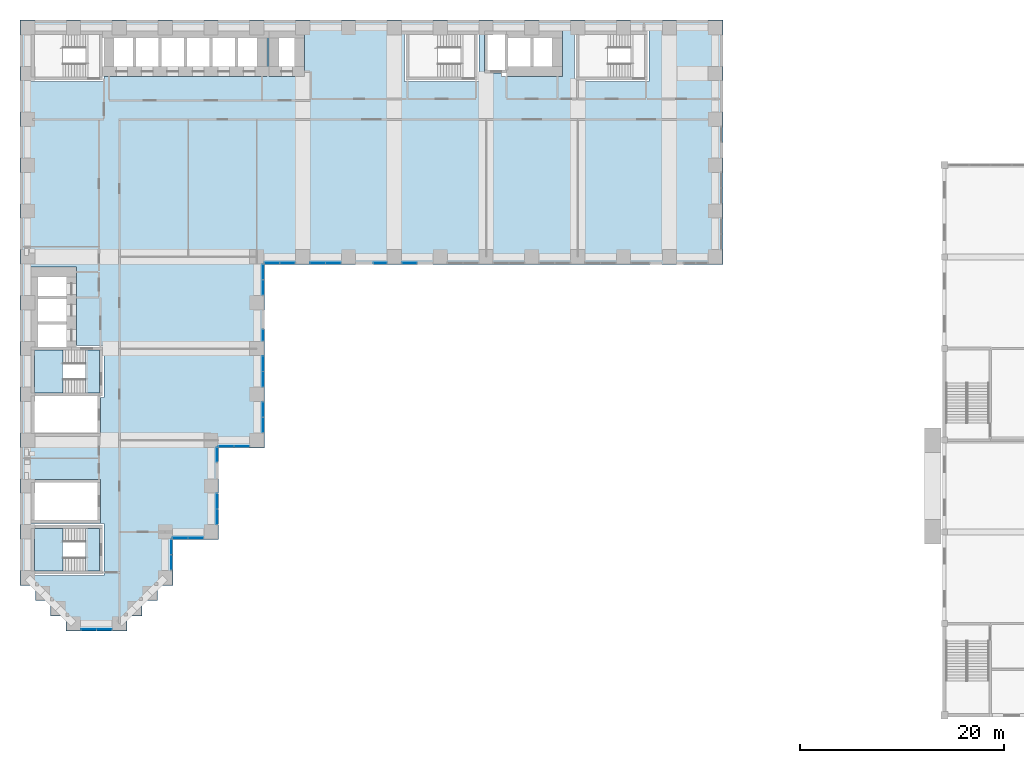
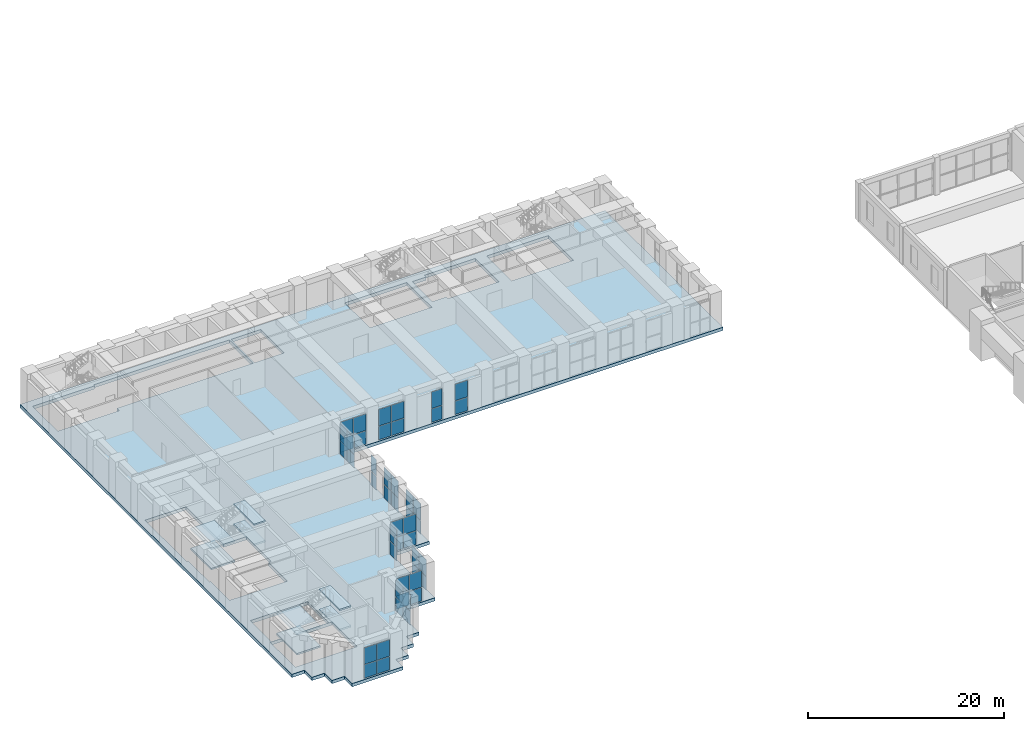
# One storey, part 14 of 34: 48 plates, 9 slabs, 16 elements without a shape of their own.
"""IFC4 building model written with IfcOpenShell, lengths in metres."""

from ifc_helpers import new_model, si_unit, direction, frame, origin, origin_2d, place, context, subcontext, project, spatial, polyline, rectangle, outline, extrude, material, layer, layer_set, type_object, element, aggregate, save


model = new_model("IFC4")

# Units and contexts
model_context = context("Model", 3, precision=1e-05, world=origin(), true_north=direction((0.0, 1.0)))
body_context = subcontext(model_context, "Body", "Model", "MODEL_VIEW")
ifc_project = project(units=[si_unit("LENGTHUNIT", "METRE"), si_unit("AREAUNIT", "SQUARE_METRE"), si_unit("VOLUMEUNIT", "CUBIC_METRE"), si_unit("PLANEANGLEUNIT", "RADIAN"), si_unit("MASSUNIT", "GRAM", prefix="KILO")], contexts=[model_context])

# Site, building, storey
site_placement = place(None, origin())
site = spatial("IfcSite", under=ifc_project, at=site_placement, CompositionType="ELEMENT")
building_placement = place(site_placement, origin())
building = spatial("IfcBuilding", under=site, at=building_placement, Name="Firuza Court", CompositionType="ELEMENT")
storey_placement = place(building_placement, frame((0.0, 0.0, 19.0)))
storey = spatial("IfcBuildingStorey", under=building, at=storey_placement, Name="L03", CompositionType="ELEMENT", Elevation=19.0)

# Slab
ifc_material_1 = material(Name="Concrete C40/50", Category="concrete")
ifc_layer_1 = layer(ifc_material_1, 0.39990234375)
ifc_layer_set_1 = layer_set([ifc_layer_1], Name="Concrete C40/50")
slab_type_1 = type_object("IfcSlabType", Name="Floor slab 400 C40/50", PredefinedType="FLOOR", material=ifc_layer_set_1)
slab_1_placement = place(storey_placement, frame((0.0, 0.0, -0.39990234375)))
element("IfcSlab", 1, at=slab_1_placement, inside=storey, type_object=slab_type_1, Name="Floor slab L03", PredefinedType="FLOOR", context=body_context, shape_type="SweptSolid", body=[
    extrude(outline(polyline([(3.75, -0.75), (3.75, 0.75), (2.25, 0.75), (2.25, 2.25), (0.75, 2.25), (0.75, 3.75), (-0.75, 3.75), (-0.75, 59.25), (68.25, 59.25), (68.25, 35.25), (23.25, 35.25), (23.25, 17.25), (18.75, 17.25), (18.75, 8.25), (14.25, 8.25), (14.25, 3.75), (12.75, 3.75), (12.75, 2.25), (11.25, 2.25), (11.25, 0.75), (9.75, 0.75), (9.75, -0.75), (3.75, -0.75)]), holes=[polyline([(7.5, 9.800048828125), (0.199951171875, 9.800048828125), (0.199951171875, 4.699951171875), (7.5, 4.699951171875), (7.5, 9.800048828125)]), polyline([(7.14990234375, 14.14990234375), (0.35009765625, 14.14990234375), (0.35009765625, 9.85009765625), (7.14990234375, 9.85009765625), (7.14990234375, 14.14990234375)]), polyline([(0.199951171875, 22.199951171875), (0.35009765625, 22.199951171875), (0.35009765625, 18.35009765625), (7.14990234375, 18.35009765625), (7.14990234375, 22.199951171875), (7.5, 22.199951171875), (7.5, 27.300048828125), (4.800048828125, 27.300048828125), (4.800048828125, 29.0), (4.800048828125, 30.0), (4.800048828125, 31.5), (4.800048828125, 32.5), (4.800048828125, 35.0), (0.0, 35.0), (0.0, 32.5), (0.0, 31.5), (0.0, 30.0), (0.0, 29.0), (0.0, 26.5), (0.199951171875, 26.5), (0.199951171875, 22.199951171875)]), polyline([(7.5, 58.300048828125), (0.199951171875, 58.300048828125), (0.199951171875, 53.199951171875), (7.5, 53.199951171875), (7.5, 53.699951171875), (10.0, 53.699951171875), (11.0, 53.699951171875), (12.5, 53.699951171875), (13.5, 53.699951171875), (15.0, 53.699951171875), (16.0, 53.699951171875), (17.5, 53.699951171875), (18.5, 53.699951171875), (20.0, 53.699951171875), (21.0, 53.699951171875), (23.5, 53.699951171875), (23.5, 58.5), (21.0, 58.5), (20.0, 58.5), (18.5, 58.5), (17.5, 58.5), (16.0, 58.5), (15.0, 58.5), (13.5, 58.5), (12.5, 58.5), (11.0, 58.5), (10.0, 58.5), (7.5, 58.5), (7.5, 58.300048828125)]), polyline([(44.300048828125, 58.300048828125), (37.0, 58.300048828125), (37.0, 53.199951171875), (44.300048828125, 53.199951171875), (44.300048828125, 58.300048828125)]), polyline([(61.0, 58.300048828125), (53.699951171875, 58.300048828125), (53.699951171875, 53.199951171875), (61.0, 53.199951171875), (61.0, 58.300048828125)]), polyline([(27.199951171875, 58.5), (23.699951171875, 58.5), (23.699951171875, 53.699951171875), (27.199951171875, 53.699951171875), (27.199951171875, 58.5)]), polyline([(46.5, 58.14990234375), (44.85009765625, 58.14990234375), (44.85009765625, 54.050048828125), (46.5, 54.050048828125), (46.5, 53.699951171875), (49.0, 53.699951171875), (50.0, 53.699951171875), (52.5, 53.699951171875), (52.5, 58.5), (50.0, 58.5), (49.0, 58.5), (46.5, 58.5), (46.5, 58.14990234375)])]), origin(), (0.0, 0.0, 1.0), 0.39990234375),
])

# Curtain wall, plates
ifc_material_2 = material(Name="Aluminium curtain wall, triple clear glazing", Category="aluminium")
curtain_wall_type = type_object("IfcCurtainWallType", Name="Podium unitised curtain wall CW1", PredefinedType="NOTDEFINED", material=ifc_material_2)
curtain_wall_1_placement = place(storey_placement, origin())
curtain_wall_1 = element("IfcCurtainWall", 2, at=curtain_wall_1_placement, inside=storey, type_object=curtain_wall_type, Name="Podium unitised curtain wall CW1 L03", PredefinedType="NOTDEFINED")
ifc_material_3 = material(Name="Triple clear glazing", Category="glass")
ifc_layer_2 = layer(ifc_material_3, 0.031982421875)
ifc_layer_set_2 = layer_set([ifc_layer_2], Name="Triple clear glazing")
plate_type = type_object("IfcPlateType", Name="Glazed panel 32 CW1", PredefinedType="CURTAIN_PANEL", material=ifc_layer_set_2)
plate_1_placement = place(storey_placement, frame((14.10009765625, 5.989990234375, 0.06005859375), z_axis=(0.0, 0.0, 1.0), x_axis=(0.0, 1.0, 0.0)))
plate_1 = element("IfcPlate", 3, at=plate_1_placement, type_object=plate_type, Name="CW1 panel 1.1", PredefinedType="CURTAIN_PANEL", context=body_context, shape_type="SweptSolid", body=[
    extrude(rectangle(XDim=1.4599609375, YDim=0.031982421875, at=origin_2d()), origin(), (0.0, 0.0, 1.0), 1.6650390625),
])
plate_2_placement = place(storey_placement, frame((14.10009765625, 5.989990234375, 1.78515625), z_axis=(0.0, 0.0, 1.0), x_axis=(0.0, 1.0, 0.0)))
plate_2 = element("IfcPlate", 4, at=plate_2_placement, type_object=plate_type, Name="CW1 panel 1.2", PredefinedType="CURTAIN_PANEL", context=body_context, shape_type="SweptSolid", body=[
    extrude(rectangle(XDim=1.4599609375, YDim=0.031982421875, at=origin_2d()), origin(), (0.0, 0.0, 1.0), 2.054931640625),
])
plate_3_placement = place(storey_placement, frame((14.10009765625, 7.510009765625, 0.06005859375), z_axis=(0.0, 0.0, 1.0), x_axis=(0.0, 1.0, 0.0)))
plate_3 = element("IfcPlate", 5, at=plate_3_placement, type_object=plate_type, Name="CW1 panel 2.1", PredefinedType="CURTAIN_PANEL", context=body_context, shape_type="SweptSolid", body=[
    extrude(rectangle(XDim=1.4599609375, YDim=0.031982421875, at=origin_2d()), origin(), (0.0, 0.0, 1.0), 1.6650390625),
])
plate_4_placement = place(storey_placement, frame((14.10009765625, 7.510009765625, 1.78515625), z_axis=(0.0, 0.0, 1.0), x_axis=(0.0, 1.0, 0.0)))
plate_4 = element("IfcPlate", 6, at=plate_4_placement, type_object=plate_type, Name="CW1 panel 2.2", PredefinedType="CURTAIN_PANEL", context=body_context, shape_type="SweptSolid", body=[
    extrude(rectangle(XDim=1.4599609375, YDim=0.031982421875, at=origin_2d()), origin(), (0.0, 0.0, 1.0), 2.054931640625),
])
aggregate(curtain_wall_1, [plate_1, plate_2, plate_3, plate_4])

curtain_wall_2_placement = place(storey_placement, origin())
curtain_wall_2 = element("IfcCurtainWall", 7, at=curtain_wall_2_placement, inside=storey, type_object=curtain_wall_type, Name="Podium unitised curtain wall CW1 L03", PredefinedType="NOTDEFINED")
plate_5_placement = place(storey_placement, frame((14.989990234375, 8.39990234375, 0.06005859375), z_axis=(0.0, 0.0, 1.0), x_axis=(1.0, 0.0, 0.0)))
plate_5 = element("IfcPlate", 8, at=plate_5_placement, type_object=plate_type, Name="CW1 panel 1.1", PredefinedType="CURTAIN_PANEL", context=body_context, shape_type="SweptSolid", body=[
    extrude(rectangle(XDim=1.4599609375, YDim=0.031982421875, at=origin_2d()), origin(), (0.0, 0.0, 1.0), 1.6650390625),
])
plate_6_placement = place(storey_placement, frame((14.989990234375, 8.39990234375, 1.78515625), z_axis=(0.0, 0.0, 1.0), x_axis=(1.0, 0.0, 0.0)))
plate_6 = element("IfcPlate", 9, at=plate_6_placement, type_object=plate_type, Name="CW1 panel 1.2", PredefinedType="CURTAIN_PANEL", context=body_context, shape_type="SweptSolid", body=[
    extrude(rectangle(XDim=1.4599609375, YDim=0.031982421875, at=origin_2d()), origin(), (0.0, 0.0, 1.0), 2.054931640625),
])
plate_7_placement = place(storey_placement, frame((16.510009765625, 8.39990234375, 0.06005859375), z_axis=(0.0, 0.0, 1.0), x_axis=(1.0, 0.0, 0.0)))
plate_7 = element("IfcPlate", 10, at=plate_7_placement, type_object=plate_type, Name="CW1 panel 2.1", PredefinedType="CURTAIN_PANEL", context=body_context, shape_type="SweptSolid", body=[
    extrude(rectangle(XDim=1.4599609375, YDim=0.031982421875, at=origin_2d()), origin(), (0.0, 0.0, 1.0), 1.6650390625),
])
plate_8_placement = place(storey_placement, frame((16.510009765625, 8.39990234375, 1.78515625), z_axis=(0.0, 0.0, 1.0), x_axis=(1.0, 0.0, 0.0)))
plate_8 = element("IfcPlate", 11, at=plate_8_placement, type_object=plate_type, Name="CW1 panel 2.2", PredefinedType="CURTAIN_PANEL", context=body_context, shape_type="SweptSolid", body=[
    extrude(rectangle(XDim=1.4599609375, YDim=0.031982421875, at=origin_2d()), origin(), (0.0, 0.0, 1.0), 2.054931640625),
])
aggregate(curtain_wall_2, [plate_5, plate_6, plate_7, plate_8])

curtain_wall_3_placement = place(storey_placement, origin())
curtain_wall_3 = element("IfcCurtainWall", 12, at=curtain_wall_3_placement, inside=storey, type_object=curtain_wall_type, Name="Podium unitised curtain wall CW1 L03", PredefinedType="NOTDEFINED")
plate_9_placement = place(storey_placement, frame((18.60009765625, 10.489990234375, 0.06005859375), z_axis=(0.0, 0.0, 1.0), x_axis=(0.0, 1.0, 0.0)))
plate_9 = element("IfcPlate", 13, at=plate_9_placement, type_object=plate_type, Name="CW1 panel 1.1", PredefinedType="CURTAIN_PANEL", context=body_context, shape_type="SweptSolid", body=[
    extrude(rectangle(XDim=1.4599609375, YDim=0.031982421875, at=origin_2d()), origin(), (0.0, 0.0, 1.0), 1.6650390625),
])
plate_10_placement = place(storey_placement, frame((18.60009765625, 10.489990234375, 1.78515625), z_axis=(0.0, 0.0, 1.0), x_axis=(0.0, 1.0, 0.0)))
plate_10 = element("IfcPlate", 14, at=plate_10_placement, type_object=plate_type, Name="CW1 panel 1.2", PredefinedType="CURTAIN_PANEL", context=body_context, shape_type="SweptSolid", body=[
    extrude(rectangle(XDim=1.4599609375, YDim=0.031982421875, at=origin_2d()), origin(), (0.0, 0.0, 1.0), 2.054931640625),
])
plate_11_placement = place(storey_placement, frame((18.60009765625, 12.010009765625, 0.06005859375), z_axis=(0.0, 0.0, 1.0), x_axis=(0.0, 1.0, 0.0)))
plate_11 = element("IfcPlate", 15, at=plate_11_placement, type_object=plate_type, Name="CW1 panel 2.1", PredefinedType="CURTAIN_PANEL", context=body_context, shape_type="SweptSolid", body=[
    extrude(rectangle(XDim=1.4599609375, YDim=0.031982421875, at=origin_2d()), origin(), (0.0, 0.0, 1.0), 1.6650390625),
])
plate_12_placement = place(storey_placement, frame((18.60009765625, 12.010009765625, 1.78515625), z_axis=(0.0, 0.0, 1.0), x_axis=(0.0, 1.0, 0.0)))
plate_12 = element("IfcPlate", 16, at=plate_12_placement, type_object=plate_type, Name="CW1 panel 2.2", PredefinedType="CURTAIN_PANEL", context=body_context, shape_type="SweptSolid", body=[
    extrude(rectangle(XDim=1.4599609375, YDim=0.031982421875, at=origin_2d()), origin(), (0.0, 0.0, 1.0), 2.054931640625),
])
aggregate(curtain_wall_3, [plate_9, plate_10, plate_11, plate_12])

curtain_wall_4_placement = place(storey_placement, origin())
curtain_wall_4 = element("IfcCurtainWall", 17, at=curtain_wall_4_placement, inside=storey, type_object=curtain_wall_type, Name="Podium unitised curtain wall CW1 L03", PredefinedType="NOTDEFINED")
plate_13_placement = place(storey_placement, frame((18.60009765625, 16.552490234375, 0.06005859375), z_axis=(0.0, 0.0, 1.0), x_axis=(0.0, 1.0, 0.0)))
plate_13 = element("IfcPlate", 18, at=plate_13_placement, type_object=plate_type, Name="CW1 panel 1.1", PredefinedType="CURTAIN_PANEL", context=body_context, shape_type="SweptSolid", body=[
    extrude(rectangle(XDim=1.374755859375, YDim=0.031982421875, at=origin_2d()), origin(), (0.0, 0.0, 1.0), 1.6650390625),
])
plate_14_placement = place(storey_placement, frame((18.60009765625, 16.552490234375, 1.78515625), z_axis=(0.0, 0.0, 1.0), x_axis=(0.0, 1.0, 0.0)))
plate_14 = element("IfcPlate", 19, at=plate_14_placement, type_object=plate_type, Name="CW1 panel 1.2", PredefinedType="CURTAIN_PANEL", context=body_context, shape_type="SweptSolid", body=[
    extrude(rectangle(XDim=1.374755859375, YDim=0.031982421875, at=origin_2d()), origin(), (0.0, 0.0, 1.0), 2.054931640625),
])
aggregate(curtain_wall_4, [plate_13, plate_14])

curtain_wall_5_placement = place(storey_placement, origin())
curtain_wall_5 = element("IfcCurtainWall", 20, at=curtain_wall_5_placement, inside=storey, type_object=curtain_wall_type, Name="Podium unitised curtain wall CW1 L03", PredefinedType="NOTDEFINED")
plate_15_placement = place(storey_placement, frame((19.489990234375, 17.39990234375, 0.06005859375), z_axis=(0.0, 0.0, 1.0), x_axis=(1.0, 0.0, 0.0)))
plate_15 = element("IfcPlate", 21, at=plate_15_placement, type_object=plate_type, Name="CW1 panel 1.1", PredefinedType="CURTAIN_PANEL", context=body_context, shape_type="SweptSolid", body=[
    extrude(rectangle(XDim=1.4599609375, YDim=0.031982421875, at=origin_2d()), origin(), (0.0, 0.0, 1.0), 1.6650390625),
])
plate_16_placement = place(storey_placement, frame((19.489990234375, 17.39990234375, 1.78515625), z_axis=(0.0, 0.0, 1.0), x_axis=(1.0, 0.0, 0.0)))
plate_16 = element("IfcPlate", 22, at=plate_16_placement, type_object=plate_type, Name="CW1 panel 1.2", PredefinedType="CURTAIN_PANEL", context=body_context, shape_type="SweptSolid", body=[
    extrude(rectangle(XDim=1.4599609375, YDim=0.031982421875, at=origin_2d()), origin(), (0.0, 0.0, 1.0), 2.054931640625),
])
plate_17_placement = place(storey_placement, frame((21.010009765625, 17.39990234375, 0.06005859375), z_axis=(0.0, 0.0, 1.0), x_axis=(1.0, 0.0, 0.0)))
plate_17 = element("IfcPlate", 23, at=plate_17_placement, type_object=plate_type, Name="CW1 panel 2.1", PredefinedType="CURTAIN_PANEL", context=body_context, shape_type="SweptSolid", body=[
    extrude(rectangle(XDim=1.4599609375, YDim=0.031982421875, at=origin_2d()), origin(), (0.0, 0.0, 1.0), 1.6650390625),
])
plate_18_placement = place(storey_placement, frame((21.010009765625, 17.39990234375, 1.78515625), z_axis=(0.0, 0.0, 1.0), x_axis=(1.0, 0.0, 0.0)))
plate_18 = element("IfcPlate", 24, at=plate_18_placement, type_object=plate_type, Name="CW1 panel 2.2", PredefinedType="CURTAIN_PANEL", context=body_context, shape_type="SweptSolid", body=[
    extrude(rectangle(XDim=1.4599609375, YDim=0.031982421875, at=origin_2d()), origin(), (0.0, 0.0, 1.0), 2.054931640625),
])
aggregate(curtain_wall_5, [plate_15, plate_16, plate_17, plate_18])

curtain_wall_6_placement = place(storey_placement, origin())
curtain_wall_6 = element("IfcCurtainWall", 25, at=curtain_wall_6_placement, inside=storey, type_object=curtain_wall_type, Name="Podium unitised curtain wall CW1 L03", PredefinedType="NOTDEFINED")
plate_19_placement = place(storey_placement, frame((23.10009765625, 19.489990234375, 0.06005859375), z_axis=(0.0, 0.0, 1.0), x_axis=(0.0, 1.0, 0.0)))
plate_19 = element("IfcPlate", 26, at=plate_19_placement, type_object=plate_type, Name="CW1 panel 1.1", PredefinedType="CURTAIN_PANEL", context=body_context, shape_type="SweptSolid", body=[
    extrude(rectangle(XDim=1.4599609375, YDim=0.031982421875, at=origin_2d()), origin(), (0.0, 0.0, 1.0), 1.6650390625),
])
plate_20_placement = place(storey_placement, frame((23.10009765625, 19.489990234375, 1.78515625), z_axis=(0.0, 0.0, 1.0), x_axis=(0.0, 1.0, 0.0)))
plate_20 = element("IfcPlate", 27, at=plate_20_placement, type_object=plate_type, Name="CW1 panel 1.2", PredefinedType="CURTAIN_PANEL", context=body_context, shape_type="SweptSolid", body=[
    extrude(rectangle(XDim=1.4599609375, YDim=0.031982421875, at=origin_2d()), origin(), (0.0, 0.0, 1.0), 2.054931640625),
])
plate_21_placement = place(storey_placement, frame((23.10009765625, 21.010009765625, 0.06005859375), z_axis=(0.0, 0.0, 1.0), x_axis=(0.0, 1.0, 0.0)))
plate_21 = element("IfcPlate", 28, at=plate_21_placement, type_object=plate_type, Name="CW1 panel 2.1", PredefinedType="CURTAIN_PANEL", context=body_context, shape_type="SweptSolid", body=[
    extrude(rectangle(XDim=1.4599609375, YDim=0.031982421875, at=origin_2d()), origin(), (0.0, 0.0, 1.0), 1.6650390625),
])
plate_22_placement = place(storey_placement, frame((23.10009765625, 21.010009765625, 1.78515625), z_axis=(0.0, 0.0, 1.0), x_axis=(0.0, 1.0, 0.0)))
plate_22 = element("IfcPlate", 29, at=plate_22_placement, type_object=plate_type, Name="CW1 panel 2.2", PredefinedType="CURTAIN_PANEL", context=body_context, shape_type="SweptSolid", body=[
    extrude(rectangle(XDim=1.4599609375, YDim=0.031982421875, at=origin_2d()), origin(), (0.0, 0.0, 1.0), 2.054931640625),
])
aggregate(curtain_wall_6, [plate_19, plate_20, plate_21, plate_22])

curtain_wall_7_placement = place(storey_placement, origin())
curtain_wall_7 = element("IfcCurtainWall", 30, at=curtain_wall_7_placement, inside=storey, type_object=curtain_wall_type, Name="Podium unitised curtain wall CW1 L03", PredefinedType="NOTDEFINED")
plate_23_placement = place(storey_placement, frame((23.10009765625, 23.989990234375, 0.06005859375), z_axis=(0.0, 0.0, 1.0), x_axis=(0.0, 1.0, 0.0)))
plate_23 = element("IfcPlate", 31, at=plate_23_placement, type_object=plate_type, Name="CW1 panel 1.1", PredefinedType="CURTAIN_PANEL", context=body_context, shape_type="SweptSolid", body=[
    extrude(rectangle(XDim=1.4599609375, YDim=0.031982421875, at=origin_2d()), origin(), (0.0, 0.0, 1.0), 1.6650390625),
])
plate_24_placement = place(storey_placement, frame((23.10009765625, 23.989990234375, 1.78515625), z_axis=(0.0, 0.0, 1.0), x_axis=(0.0, 1.0, 0.0)))
plate_24 = element("IfcPlate", 32, at=plate_24_placement, type_object=plate_type, Name="CW1 panel 1.2", PredefinedType="CURTAIN_PANEL", context=body_context, shape_type="SweptSolid", body=[
    extrude(rectangle(XDim=1.4599609375, YDim=0.031982421875, at=origin_2d()), origin(), (0.0, 0.0, 1.0), 2.054931640625),
])
plate_25_placement = place(storey_placement, frame((23.10009765625, 25.510009765625, 0.06005859375), z_axis=(0.0, 0.0, 1.0), x_axis=(0.0, 1.0, 0.0)))
plate_25 = element("IfcPlate", 33, at=plate_25_placement, type_object=plate_type, Name="CW1 panel 2.1", PredefinedType="CURTAIN_PANEL", context=body_context, shape_type="SweptSolid", body=[
    extrude(rectangle(XDim=1.4599609375, YDim=0.031982421875, at=origin_2d()), origin(), (0.0, 0.0, 1.0), 1.6650390625),
])
plate_26_placement = place(storey_placement, frame((23.10009765625, 25.510009765625, 1.78515625), z_axis=(0.0, 0.0, 1.0), x_axis=(0.0, 1.0, 0.0)))
plate_26 = element("IfcPlate", 34, at=plate_26_placement, type_object=plate_type, Name="CW1 panel 2.2", PredefinedType="CURTAIN_PANEL", context=body_context, shape_type="SweptSolid", body=[
    extrude(rectangle(XDim=1.4599609375, YDim=0.031982421875, at=origin_2d()), origin(), (0.0, 0.0, 1.0), 2.054931640625),
])
aggregate(curtain_wall_7, [plate_23, plate_24, plate_25, plate_26])

curtain_wall_8_placement = place(storey_placement, origin())
curtain_wall_8 = element("IfcCurtainWall", 35, at=curtain_wall_8_placement, inside=storey, type_object=curtain_wall_type, Name="Podium unitised curtain wall CW1 L03", PredefinedType="NOTDEFINED")
plate_27_placement = place(storey_placement, frame((23.10009765625, 28.30908203125, 0.06005859375), z_axis=(0.0, 0.0, 1.0), x_axis=(0.0, 1.0, 0.0)))
plate_27 = element("IfcPlate", 36, at=plate_27_placement, type_object=plate_type, Name="CW1 panel 1.1", PredefinedType="CURTAIN_PANEL", context=body_context, shape_type="SweptSolid", body=[
    extrude(rectangle(XDim=1.09814453125, YDim=0.031982421875, at=origin_2d()), origin(), (0.0, 0.0, 1.0), 1.6650390625),
])
plate_28_placement = place(storey_placement, frame((23.10009765625, 28.30908203125, 1.78515625), z_axis=(0.0, 0.0, 1.0), x_axis=(0.0, 1.0, 0.0)))
plate_28 = element("IfcPlate", 37, at=plate_28_placement, type_object=plate_type, Name="CW1 panel 1.2", PredefinedType="CURTAIN_PANEL", context=body_context, shape_type="SweptSolid", body=[
    extrude(rectangle(XDim=1.09814453125, YDim=0.031982421875, at=origin_2d()), origin(), (0.0, 0.0, 1.0), 2.054931640625),
])
aggregate(curtain_wall_8, [plate_27, plate_28])

curtain_wall_9_placement = place(storey_placement, origin())
curtain_wall_9 = element("IfcCurtainWall", 38, at=curtain_wall_9_placement, inside=storey, type_object=curtain_wall_type, Name="Podium unitised curtain wall CW1 L03", PredefinedType="NOTDEFINED")
plate_29_placement = place(storey_placement, frame((23.10009765625, 32.989990234375, 0.06005859375), z_axis=(0.0, 0.0, 1.0), x_axis=(0.0, 1.0, 0.0)))
plate_29 = element("IfcPlate", 39, at=plate_29_placement, type_object=plate_type, Name="CW1 panel 1.1", PredefinedType="CURTAIN_PANEL", context=body_context, shape_type="SweptSolid", body=[
    extrude(rectangle(XDim=1.4599609375, YDim=0.031982421875, at=origin_2d()), origin(), (0.0, 0.0, 1.0), 1.6650390625),
])
plate_30_placement = place(storey_placement, frame((23.10009765625, 32.989990234375, 1.78515625), z_axis=(0.0, 0.0, 1.0), x_axis=(0.0, 1.0, 0.0)))
plate_30 = element("IfcPlate", 40, at=plate_30_placement, type_object=plate_type, Name="CW1 panel 1.2", PredefinedType="CURTAIN_PANEL", context=body_context, shape_type="SweptSolid", body=[
    extrude(rectangle(XDim=1.4599609375, YDim=0.031982421875, at=origin_2d()), origin(), (0.0, 0.0, 1.0), 2.054931640625),
])
plate_31_placement = place(storey_placement, frame((23.10009765625, 34.510009765625, 0.06005859375), z_axis=(0.0, 0.0, 1.0), x_axis=(0.0, 1.0, 0.0)))
plate_31 = element("IfcPlate", 41, at=plate_31_placement, type_object=plate_type, Name="CW1 panel 2.1", PredefinedType="CURTAIN_PANEL", context=body_context, shape_type="SweptSolid", body=[
    extrude(rectangle(XDim=1.4599609375, YDim=0.031982421875, at=origin_2d()), origin(), (0.0, 0.0, 1.0), 1.6650390625),
])
plate_32_placement = place(storey_placement, frame((23.10009765625, 34.510009765625, 1.78515625), z_axis=(0.0, 0.0, 1.0), x_axis=(0.0, 1.0, 0.0)))
plate_32 = element("IfcPlate", 42, at=plate_32_placement, type_object=plate_type, Name="CW1 panel 2.2", PredefinedType="CURTAIN_PANEL", context=body_context, shape_type="SweptSolid", body=[
    extrude(rectangle(XDim=1.4599609375, YDim=0.031982421875, at=origin_2d()), origin(), (0.0, 0.0, 1.0), 2.054931640625),
])
aggregate(curtain_wall_9, [plate_29, plate_30, plate_31, plate_32])

curtain_wall_10_placement = place(storey_placement, origin())
curtain_wall_10 = element("IfcCurtainWall", 43, at=curtain_wall_10_placement, inside=storey, type_object=curtain_wall_type, Name="Podium unitised curtain wall CW1 L03", PredefinedType="NOTDEFINED")
plate_33_placement = place(storey_placement, frame((23.989990234375, 35.39990234375, 0.06005859375), z_axis=(0.0, 0.0, 1.0), x_axis=(1.0, 0.0, 0.0)))
plate_33 = element("IfcPlate", 44, at=plate_33_placement, type_object=plate_type, Name="CW1 panel 1.1", PredefinedType="CURTAIN_PANEL", context=body_context, shape_type="SweptSolid", body=[
    extrude(rectangle(XDim=1.4599609375, YDim=0.031982421875, at=origin_2d()), origin(), (0.0, 0.0, 1.0), 1.6650390625),
])
plate_34_placement = place(storey_placement, frame((23.989990234375, 35.39990234375, 1.78515625), z_axis=(0.0, 0.0, 1.0), x_axis=(1.0, 0.0, 0.0)))
plate_34 = element("IfcPlate", 45, at=plate_34_placement, type_object=plate_type, Name="CW1 panel 1.2", PredefinedType="CURTAIN_PANEL", context=body_context, shape_type="SweptSolid", body=[
    extrude(rectangle(XDim=1.4599609375, YDim=0.031982421875, at=origin_2d()), origin(), (0.0, 0.0, 1.0), 2.054931640625),
])
plate_35_placement = place(storey_placement, frame((25.510009765625, 35.39990234375, 0.06005859375), z_axis=(0.0, 0.0, 1.0), x_axis=(1.0, 0.0, 0.0)))
plate_35 = element("IfcPlate", 46, at=plate_35_placement, type_object=plate_type, Name="CW1 panel 2.1", PredefinedType="CURTAIN_PANEL", context=body_context, shape_type="SweptSolid", body=[
    extrude(rectangle(XDim=1.4599609375, YDim=0.031982421875, at=origin_2d()), origin(), (0.0, 0.0, 1.0), 1.6650390625),
])
plate_36_placement = place(storey_placement, frame((25.510009765625, 35.39990234375, 1.78515625), z_axis=(0.0, 0.0, 1.0), x_axis=(1.0, 0.0, 0.0)))
plate_36 = element("IfcPlate", 47, at=plate_36_placement, type_object=plate_type, Name="CW1 panel 2.2", PredefinedType="CURTAIN_PANEL", context=body_context, shape_type="SweptSolid", body=[
    extrude(rectangle(XDim=1.4599609375, YDim=0.031982421875, at=origin_2d()), origin(), (0.0, 0.0, 1.0), 2.054931640625),
])
aggregate(curtain_wall_10, [plate_33, plate_34, plate_35, plate_36])

curtain_wall_11_placement = place(storey_placement, origin())
curtain_wall_11 = element("IfcCurtainWall", 48, at=curtain_wall_11_placement, inside=storey, type_object=curtain_wall_type, Name="Podium unitised curtain wall CW1 L03", PredefinedType="NOTDEFINED")
plate_37_placement = place(storey_placement, frame((28.489990234375, 35.39990234375, 0.06005859375), z_axis=(0.0, 0.0, 1.0), x_axis=(1.0, 0.0, 0.0)))
plate_37 = element("IfcPlate", 49, at=plate_37_placement, type_object=plate_type, Name="CW1 panel 1.1", PredefinedType="CURTAIN_PANEL", context=body_context, shape_type="SweptSolid", body=[
    extrude(rectangle(XDim=1.4599609375, YDim=0.031982421875, at=origin_2d()), origin(), (0.0, 0.0, 1.0), 1.6650390625),
])
plate_38_placement = place(storey_placement, frame((28.489990234375, 35.39990234375, 1.78515625), z_axis=(0.0, 0.0, 1.0), x_axis=(1.0, 0.0, 0.0)))
plate_38 = element("IfcPlate", 50, at=plate_38_placement, type_object=plate_type, Name="CW1 panel 1.2", PredefinedType="CURTAIN_PANEL", context=body_context, shape_type="SweptSolid", body=[
    extrude(rectangle(XDim=1.4599609375, YDim=0.031982421875, at=origin_2d()), origin(), (0.0, 0.0, 1.0), 2.054931640625),
])
plate_39_placement = place(storey_placement, frame((30.010009765625, 35.39990234375, 0.06005859375), z_axis=(0.0, 0.0, 1.0), x_axis=(1.0, 0.0, 0.0)))
plate_39 = element("IfcPlate", 51, at=plate_39_placement, type_object=plate_type, Name="CW1 panel 2.1", PredefinedType="CURTAIN_PANEL", context=body_context, shape_type="SweptSolid", body=[
    extrude(rectangle(XDim=1.4599609375, YDim=0.031982421875, at=origin_2d()), origin(), (0.0, 0.0, 1.0), 1.6650390625),
])
plate_40_placement = place(storey_placement, frame((30.010009765625, 35.39990234375, 1.78515625), z_axis=(0.0, 0.0, 1.0), x_axis=(1.0, 0.0, 0.0)))
plate_40 = element("IfcPlate", 52, at=plate_40_placement, type_object=plate_type, Name="CW1 panel 2.2", PredefinedType="CURTAIN_PANEL", context=body_context, shape_type="SweptSolid", body=[
    extrude(rectangle(XDim=1.4599609375, YDim=0.031982421875, at=origin_2d()), origin(), (0.0, 0.0, 1.0), 2.054931640625),
])
aggregate(curtain_wall_11, [plate_37, plate_38, plate_39, plate_40])

curtain_wall_12_placement = place(storey_placement, origin())
curtain_wall_12 = element("IfcCurtainWall", 53, at=curtain_wall_12_placement, inside=storey, type_object=curtain_wall_type, Name="Podium unitised curtain wall CW1 L03", PredefinedType="NOTDEFINED")
plate_41_placement = place(storey_placement, frame((34.616455078125, 35.39990234375, 0.06005859375), z_axis=(0.0, 0.0, 1.0), x_axis=(1.0, 0.0, 0.0)))
plate_41 = element("IfcPlate", 54, at=plate_41_placement, type_object=plate_type, Name="CW1 panel 1.1", PredefinedType="CURTAIN_PANEL", context=body_context, shape_type="SweptSolid", body=[
    extrude(rectangle(XDim=1.247314453125, YDim=0.031982421875, at=origin_2d()), origin(), (0.0, 0.0, 1.0), 1.6650390625),
])
plate_42_placement = place(storey_placement, frame((34.616455078125, 35.39990234375, 1.78515625), z_axis=(0.0, 0.0, 1.0), x_axis=(1.0, 0.0, 0.0)))
plate_42 = element("IfcPlate", 55, at=plate_42_placement, type_object=plate_type, Name="CW1 panel 1.2", PredefinedType="CURTAIN_PANEL", context=body_context, shape_type="SweptSolid", body=[
    extrude(rectangle(XDim=1.247314453125, YDim=0.031982421875, at=origin_2d()), origin(), (0.0, 0.0, 1.0), 2.054931640625),
])
aggregate(curtain_wall_12, [plate_41, plate_42])

curtain_wall_13_placement = place(storey_placement, origin())
curtain_wall_13 = element("IfcCurtainWall", 56, at=curtain_wall_13_placement, inside=storey, type_object=curtain_wall_type, Name="Podium unitised curtain wall CW1 L03", PredefinedType="NOTDEFINED")
plate_43_placement = place(storey_placement, frame((37.47900390625, 35.39990234375, 0.06005859375), z_axis=(0.0, 0.0, 1.0), x_axis=(1.0, 0.0, 0.0)))
plate_43 = element("IfcPlate", 57, at=plate_43_placement, type_object=plate_type, Name="CW1 panel 1.1", PredefinedType="CURTAIN_PANEL", context=body_context, shape_type="SweptSolid", body=[
    extrude(rectangle(XDim=1.437744140625, YDim=0.031982421875, at=origin_2d()), origin(), (0.0, 0.0, 1.0), 1.6650390625),
])
plate_44_placement = place(storey_placement, frame((37.47900390625, 35.39990234375, 1.78515625), z_axis=(0.0, 0.0, 1.0), x_axis=(1.0, 0.0, 0.0)))
plate_44 = element("IfcPlate", 58, at=plate_44_placement, type_object=plate_type, Name="CW1 panel 1.2", PredefinedType="CURTAIN_PANEL", context=body_context, shape_type="SweptSolid", body=[
    extrude(rectangle(XDim=1.437744140625, YDim=0.031982421875, at=origin_2d()), origin(), (0.0, 0.0, 1.0), 2.054931640625),
])
aggregate(curtain_wall_13, [plate_43, plate_44])

curtain_wall_14_placement = place(storey_placement, origin())
curtain_wall_14 = element("IfcCurtainWall", 59, at=curtain_wall_14_placement, inside=storey, type_object=curtain_wall_type, Name="Podium unitised curtain wall CW1 L03", PredefinedType="NOTDEFINED")
plate_45_placement = place(storey_placement, frame((5.989990234375, -0.60009765625, 0.06005859375), z_axis=(0.0, 0.0, 1.0), x_axis=(1.0, 0.0, 0.0)))
plate_45 = element("IfcPlate", 60, at=plate_45_placement, type_object=plate_type, Name="CW1 panel 1.1", PredefinedType="CURTAIN_PANEL", context=body_context, shape_type="SweptSolid", body=[
    extrude(rectangle(XDim=1.4599609375, YDim=0.031982421875, at=origin_2d()), origin(), (0.0, 0.0, 1.0), 1.6650390625),
])
plate_46_placement = place(storey_placement, frame((5.989990234375, -0.60009765625, 1.78515625), z_axis=(0.0, 0.0, 1.0), x_axis=(1.0, 0.0, 0.0)))
plate_46 = element("IfcPlate", 61, at=plate_46_placement, type_object=plate_type, Name="CW1 panel 1.2", PredefinedType="CURTAIN_PANEL", context=body_context, shape_type="SweptSolid", body=[
    extrude(rectangle(XDim=1.4599609375, YDim=0.031982421875, at=origin_2d()), origin(), (0.0, 0.0, 1.0), 2.054931640625),
])
plate_47_placement = place(storey_placement, frame((7.510009765625, -0.60009765625, 0.06005859375), z_axis=(0.0, 0.0, 1.0), x_axis=(1.0, 0.0, 0.0)))
plate_47 = element("IfcPlate", 62, at=plate_47_placement, type_object=plate_type, Name="CW1 panel 2.1", PredefinedType="CURTAIN_PANEL", context=body_context, shape_type="SweptSolid", body=[
    extrude(rectangle(XDim=1.4599609375, YDim=0.031982421875, at=origin_2d()), origin(), (0.0, 0.0, 1.0), 1.6650390625),
])
plate_48_placement = place(storey_placement, frame((7.510009765625, -0.60009765625, 1.78515625), z_axis=(0.0, 0.0, 1.0), x_axis=(1.0, 0.0, 0.0)))
plate_48 = element("IfcPlate", 63, at=plate_48_placement, type_object=plate_type, Name="CW1 panel 2.2", PredefinedType="CURTAIN_PANEL", context=body_context, shape_type="SweptSolid", body=[
    extrude(rectangle(XDim=1.4599609375, YDim=0.031982421875, at=origin_2d()), origin(), (0.0, 0.0, 1.0), 2.054931640625),
])
aggregate(curtain_wall_14, [plate_45, plate_46, plate_47, plate_48])

# Stair, slabs
ifc_material_4 = material(Name="Concrete C40/50 precast", Category="concrete")
stair_type = type_object("IfcStairType", Name="Stair 1350 x 5000 4 flights", PredefinedType="QUARTER_TURN_STAIR", material=ifc_material_4)
stair_1_placement = place(storey_placement, origin())
stair_1 = element("IfcStair", 64, at=stair_1_placement, inside=storey, type_object=stair_type, Name="Stair 2 L03", PredefinedType="QUARTER_TURN_STAIR")
ifc_material_5 = material(Name="Concrete C40/50 precast", Category="concrete")
ifc_layer_3 = layer(ifc_material_5, 0.199951171875)
ifc_layer_set_3 = layer_set([ifc_layer_3], Name="Concrete C40/50 precast")
slab_type_2 = type_object("IfcSlabType", Name="Stair landing 200", PredefinedType="LANDING", material=ifc_layer_set_3)
slab_2_placement = place(storey_placement, frame((0.0, 0.0, 1.050048828125)))
slab_2 = element("IfcSlab", 65, at=slab_2_placement, type_object=slab_type_2, Name="S2 landing 1", PredefinedType="LANDING", context=body_context, shape_type="SweptSolid", body=[
    extrude(outline(polyline([(3.4599609375, 22.64990234375), (3.4599609375, 26.85009765625), (0.64990234375, 26.85009765625), (0.64990234375, 22.64990234375), (3.4599609375, 22.64990234375)])), origin(), (0.0, 0.0, 1.0), 0.199951171875),
])
slab_3_placement = place(storey_placement, frame((0.0, 0.0, 2.300048828125)))
slab_3 = element("IfcSlab", 66, at=slab_3_placement, type_object=slab_type_2, Name="S2 landing 2", PredefinedType="LANDING", context=body_context, shape_type="SweptSolid", body=[
    extrude(outline(polyline([(7.050048828125, 22.64990234375), (7.050048828125, 26.85009765625), (5.699951171875, 26.85009765625), (5.699951171875, 22.64990234375), (7.050048828125, 22.64990234375)])), origin(), (0.0, 0.0, 1.0), 0.199951171875),
])
slab_4_placement = place(storey_placement, frame((0.0, 0.0, 3.550048828125)))
slab_4 = element("IfcSlab", 67, at=slab_4_placement, type_object=slab_type_2, Name="S2 landing 3", PredefinedType="LANDING", context=body_context, shape_type="SweptSolid", body=[
    extrude(outline(polyline([(3.4599609375, 22.64990234375), (3.4599609375, 26.85009765625), (0.64990234375, 26.85009765625), (0.64990234375, 22.64990234375), (3.4599609375, 22.64990234375)])), origin(), (0.0, 0.0, 1.0), 0.199951171875),
])
slab_5_placement = place(storey_placement, frame((0.0, 0.0, 4.800048828125)))
slab_5 = element("IfcSlab", 68, at=slab_5_placement, type_object=slab_type_2, Name="S2 landing 4", PredefinedType="LANDING", context=body_context, shape_type="SweptSolid", body=[
    extrude(outline(polyline([(7.050048828125, 22.64990234375), (7.050048828125, 26.85009765625), (5.699951171875, 26.85009765625), (5.699951171875, 22.64990234375), (7.050048828125, 22.64990234375)])), origin(), (0.0, 0.0, 1.0), 0.199951171875),
])
aggregate(stair_1, [slab_2, slab_3, slab_4, slab_5])

stair_2_placement = place(storey_placement, origin())
stair_2 = element("IfcStair", 69, at=stair_2_placement, inside=storey, type_object=stair_type, Name="Stair 5 L03", PredefinedType="QUARTER_TURN_STAIR")
slab_6_placement = place(storey_placement, frame((0.0, 0.0, 1.050048828125)))
slab_6 = element("IfcSlab", 70, at=slab_6_placement, type_object=slab_type_2, Name="S5 landing 1", PredefinedType="LANDING", context=body_context, shape_type="SweptSolid", body=[
    extrude(outline(polyline([(3.4599609375, 5.14990234375), (3.4599609375, 9.35009765625), (0.64990234375, 9.35009765625), (0.64990234375, 5.14990234375), (3.4599609375, 5.14990234375)])), origin(), (0.0, 0.0, 1.0), 0.199951171875),
])
slab_7_placement = place(storey_placement, frame((0.0, 0.0, 2.300048828125)))
slab_7 = element("IfcSlab", 71, at=slab_7_placement, type_object=slab_type_2, Name="S5 landing 2", PredefinedType="LANDING", context=body_context, shape_type="SweptSolid", body=[
    extrude(outline(polyline([(7.050048828125, 5.14990234375), (7.050048828125, 9.35009765625), (5.699951171875, 9.35009765625), (5.699951171875, 5.14990234375), (7.050048828125, 5.14990234375)])), origin(), (0.0, 0.0, 1.0), 0.199951171875),
])
slab_8_placement = place(storey_placement, frame((0.0, 0.0, 3.550048828125)))
slab_8 = element("IfcSlab", 72, at=slab_8_placement, type_object=slab_type_2, Name="S5 landing 3", PredefinedType="LANDING", context=body_context, shape_type="SweptSolid", body=[
    extrude(outline(polyline([(3.4599609375, 5.14990234375), (3.4599609375, 9.35009765625), (0.64990234375, 9.35009765625), (0.64990234375, 5.14990234375), (3.4599609375, 5.14990234375)])), origin(), (0.0, 0.0, 1.0), 0.199951171875),
])
slab_9_placement = place(storey_placement, frame((0.0, 0.0, 4.800048828125)))
slab_9 = element("IfcSlab", 73, at=slab_9_placement, type_object=slab_type_2, Name="S5 landing 4", PredefinedType="LANDING", context=body_context, shape_type="SweptSolid", body=[
    extrude(outline(polyline([(7.050048828125, 5.14990234375), (7.050048828125, 9.35009765625), (5.699951171875, 9.35009765625), (5.699951171875, 5.14990234375), (7.050048828125, 5.14990234375)])), origin(), (0.0, 0.0, 1.0), 0.199951171875),
])
aggregate(stair_2, [slab_6, slab_7, slab_8, slab_9])

save(model, "model.ifc")
